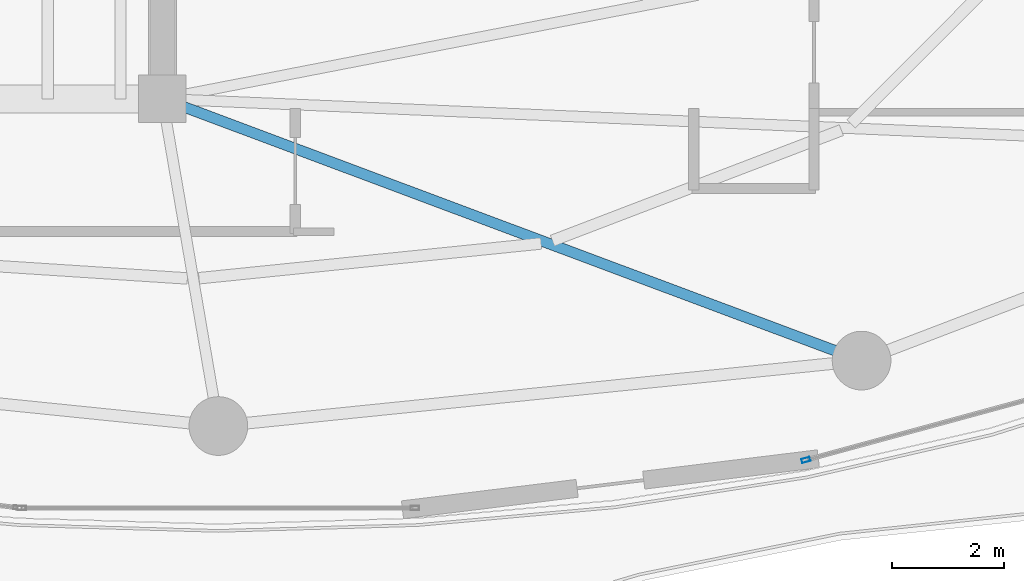
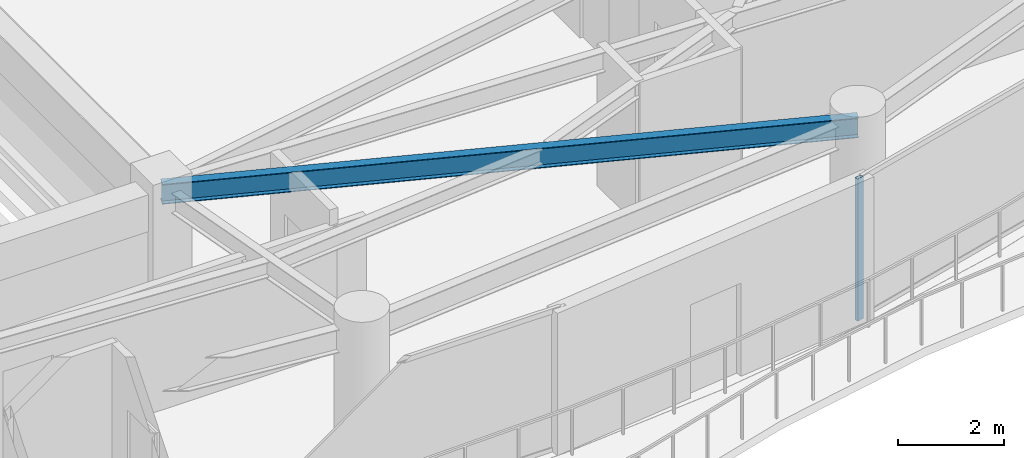
# One storey, part 11 of 31: 1 beam, 1 member, 1 element without a shape of its own.
"""IFC4 building model written with IfcOpenShell, lengths in metres."""

from ifc_helpers import new_model, si_unit, direction, frame, origin, origin_2d, place, context, subcontext, project, spatial, hollow_rectangle, i_section, extrude, material, layer, layer_set, material_profile, profile_set, type_object, element, aggregate, save


model = new_model("IFC4")

# Units and contexts
model_context = context("Model", 3, precision=1e-05, world=origin(), true_north=direction((0.0, 1.0)))
body_context = subcontext(model_context, "Body", "Model", "MODEL_VIEW")
ifc_project = project(units=[si_unit("LENGTHUNIT", "METRE"), si_unit("AREAUNIT", "SQUARE_METRE"), si_unit("VOLUMEUNIT", "CUBIC_METRE"), si_unit("PLANEANGLEUNIT", "RADIAN"), si_unit("MASSUNIT", "GRAM", prefix="KILO")], contexts=[model_context])

# Site, building, storey
site_placement = place(None, origin())
site = spatial("IfcSite", under=ifc_project, at=site_placement, CompositionType="ELEMENT")
building_placement = place(site_placement, origin())
building = spatial("IfcBuilding", under=site, at=building_placement, Name="Kazevale Care Tower and Concert Hall", CompositionType="ELEMENT")
storey_placement = place(building_placement, frame((0.0, 0.0, 187.199951171875)))
storey = spatial("IfcBuildingStorey", under=building, at=storey_placement, Name="L49", CompositionType="ELEMENT", Elevation=187.199951171875)

# Curtain wall, member
ifc_material_1 = material(Name="Aluminium 6063-T6 and Low-E Glass", Category="aluminium")
ifc_layer = layer(ifc_material_1, 0.179931640625)
ifc_layer_set = layer_set([ifc_layer], Name="Aluminium 6063-T6 and Low-E Glass")
curtain_wall_type = type_object("IfcCurtainWallType", Name="Sheltered Concave Balcony Curtain Wall CW-5", PredefinedType="NOTDEFINED", material=ifc_layer_set)
curtain_wall_placement = place(storey_placement, origin())
curtain_wall = element("IfcCurtainWall", 1, at=curtain_wall_placement, inside=storey, type_object=curtain_wall_type, Name="cw:L49:f04", PredefinedType="NOTDEFINED")
ifc_material_2 = material(Name="Aluminium 6063-T6", Category="aluminium")
ifc_material_profile_1 = material_profile(ifc_material_2, hollow_rectangle(XDim=0.074951171875, YDim=0.14990234375, WallThickness=0.00390625, at=origin_2d()), Name="ALU75x150x4")
ifc_profile_set_1 = profile_set([ifc_material_profile_1], Name="Aluminium 6063-T6")
member_type = type_object("IfcMemberType", Name="CW-5 Mullion ALU75x150x4", PredefinedType="MULLION", material=ifc_profile_set_1)
member_placement = place(storey_placement, frame((55.505126953125, 17.142822265625, 0.0), z_axis=(0.0, 0.0, 1.0), x_axis=(0.262848968947, -0.964836991167, 0.0)))
member = element("IfcMember", 2, at=member_placement, type_object=member_type, Name="CW-5 mullion 2", PredefinedType="MULLION", context=body_context, shape_type="SweptSolid", body=[
    extrude(hollow_rectangle(XDim=0.074951171875, YDim=0.14990234375, WallThickness=0.00390625, at=origin_2d()), origin(), (0.0, 0.0, 1.0), 3.280029296875),
])
aggregate(curtain_wall, [member])

# Beam
ifc_material_3 = material(Name="Steel ASTM A572 Gr 50", Category="steel")
ifc_material_profile_2 = material_profile(ifc_material_3, i_section(OverallWidth=0.19091796875, OverallDepth=0.4599609375, WebThickness=0.010009765625, FlangeThickness=0.01611328125, at=origin_2d()), Name="W460x82")
ifc_profile_set_2 = profile_set([ifc_material_profile_2], Name="Steel ASTM A572 Gr 50")
beam_type = type_object("IfcBeamType", Name="Radial Floor Beam W460x82", PredefinedType="BEAM", material=ifc_profile_set_2)
beam_placement = place(storey_placement, frame((44.0, 23.60009765625, 3.050048828125), z_axis=(0.936509460339, -0.350642311615, 0.0), x_axis=(0.350642311615, 0.936509460339, 0.0)))
element("IfcBeam", 3, at=beam_placement, inside=storey, type_object=beam_type, Name="beam:L49:rad:14", PredefinedType="BEAM", context=body_context, shape_type="SweptSolid", body=[
    extrude(i_section(OverallWidth=0.19091796875, OverallDepth=0.4599609375, WebThickness=0.010009765625, FlangeThickness=0.01611328125, at=origin_2d()), origin(), (0.0, 0.0, 1.0), 13.347412109375),
])

save(model, "model.ifc")
